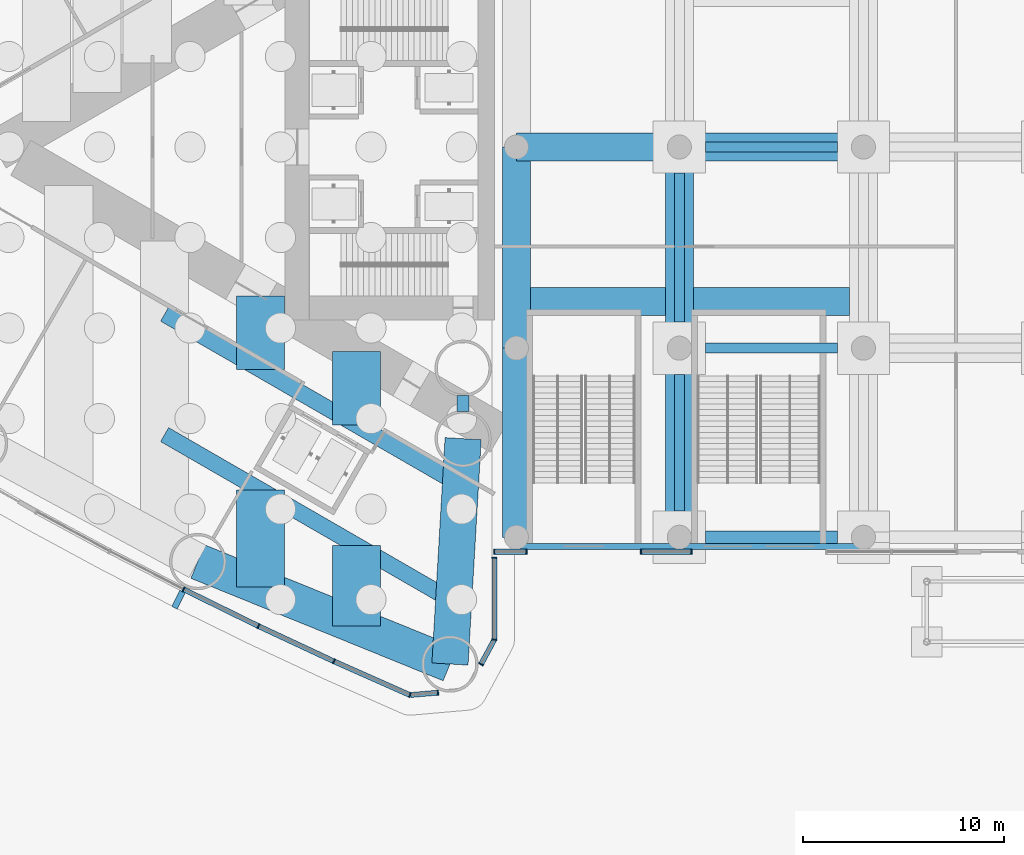
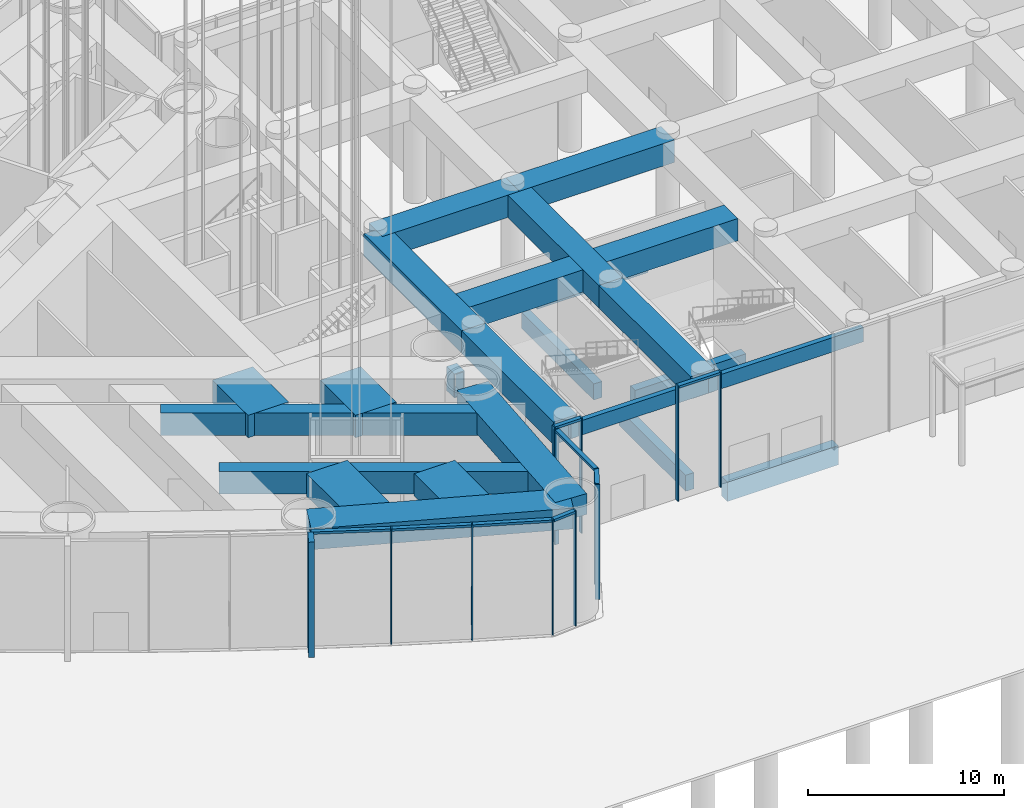
# One storey, part 8 of 43: 24 beams, 21 members, 4 elements without a shape of their own.
"""IFC4 building model written with IfcOpenShell, lengths in metres."""

from ifc_helpers import new_model, si_unit, direction, frame, origin, origin_2d, place, context, subcontext, project, spatial, rectangle, hollow_rectangle, extrude, material, material_profile, profile_set, type_object, element, aggregate, save


model = new_model("IFC4")

# Units and contexts
model_context = context("Model", 3, precision=1e-05, world=origin(), true_north=direction((0.0, 1.0)))
body_context = subcontext(model_context, "Body", "Model", "MODEL_VIEW")
ifc_project = project(units=[si_unit("LENGTHUNIT", "METRE"), si_unit("AREAUNIT", "SQUARE_METRE"), si_unit("VOLUMEUNIT", "CUBIC_METRE"), si_unit("PLANEANGLEUNIT", "RADIAN"), si_unit("MASSUNIT", "GRAM", prefix="KILO")], contexts=[model_context])

# Site, building, storey
site_placement = place(None, origin())
site = spatial("IfcSite", under=ifc_project, at=site_placement, CompositionType="ELEMENT")
building_placement = place(site_placement, origin())
building = spatial("IfcBuilding", under=site, at=building_placement, Name="Lancet Gate Hotel", CompositionType="ELEMENT")
storey_placement = place(building_placement, origin())
storey = spatial("IfcBuildingStorey", under=building, at=storey_placement, Name="L00", CompositionType="ELEMENT", Elevation=0.0)

# Curtain wall, members
ifc_material_1 = material(Name="Aluminium curtain wall", Category="aluminium")
curtain_wall_type = type_object("IfcCurtainWallType", Name="Podium curtain wall", PredefinedType="USERDEFINED", material=ifc_material_1)
curtain_wall_1_placement = place(storey_placement, origin())
curtain_wall_1 = element("IfcCurtainWall", 1, at=curtain_wall_1_placement, inside=storey, type_object=curtain_wall_type, Name="T1 L00 curtain wall 5", ObjectType="UNITISED CURTAIN WALL", PredefinedType="USERDEFINED")
ifc_material_2 = material(Name="Aluminium mullion", Category="aluminium")
ifc_material_profile_1 = material_profile(ifc_material_2, rectangle(XDim=0.06494140625, YDim=0.25, at=origin_2d()), Name="MULLION 65x250")
ifc_profile_set_1 = profile_set([ifc_material_profile_1], Name="Aluminium mullion")
member_type_1 = type_object("IfcMemberType", Name="Aluminium mullion 65x250", PredefinedType="MULLION", material=ifc_profile_set_1)
member_1_placement = place(storey_placement, frame((-42.94189453125, -21.991943359375, 0.0), z_axis=(0.0, 0.0, 1.0), x_axis=(0.893291549794, -0.449477704748, 0.0)))
member_1 = element("IfcMember", 2, at=member_1_placement, type_object=member_type_1, Name="T1 L00 curtain wall 5 mullion 3", PredefinedType="MULLION", context=body_context, shape_type="SweptSolid", body=[
    extrude(rectangle(XDim=0.06494140625, YDim=0.25, at=origin_2d()), origin(), (0.0, 0.0, 1.0), 7.199951171875),
])
member_2_placement = place(storey_placement, frame((-39.225341796875, -23.816650390625, 0.0), z_axis=(0.0, 0.0, 1.0), x_axis=(0.901928838337, -0.431884672772, 0.0)))
member_2 = element("IfcMember", 3, at=member_2_placement, type_object=member_type_1, Name="T1 L00 curtain wall 5 mullion 4", PredefinedType="MULLION", context=body_context, shape_type="SweptSolid", body=[
    extrude(rectangle(XDim=0.06494140625, YDim=0.25, at=origin_2d()), origin(), (0.0, 0.0, 1.0), 7.199951171875),
])
member_3_placement = place(storey_placement, frame((-35.473876953125, -25.568115234375, 0.0), z_axis=(0.0, 0.0, 1.0), x_axis=(0.910219680212, -0.414125746308, 0.0)))
member_3 = element("IfcMember", 4, at=member_3_placement, type_object=member_type_1, Name="T1 L00 curtain wall 5 mullion 5", PredefinedType="MULLION", context=body_context, shape_type="SweptSolid", body=[
    extrude(rectangle(XDim=0.06494140625, YDim=0.25, at=origin_2d()), origin(), (0.0, 0.0, 1.0), 7.199951171875),
])
member_4_placement = place(storey_placement, frame((-31.688720703125, -27.24560546875, 0.0), z_axis=(0.0, 0.0, 1.0), x_axis=(0.957524354695, -0.288352406209, 0.0)))
member_4 = element("IfcMember", 5, at=member_4_placement, type_object=member_type_1, Name="T1 L00 curtain wall 5 mullion 6", PredefinedType="MULLION", context=body_context, shape_type="SweptSolid", body=[
    extrude(rectangle(XDim=0.06494140625, YDim=0.25, at=origin_2d()), origin(), (0.0, 0.0, 1.0), 7.199951171875),
])
member_5_placement = place(storey_placement, frame((-30.3046875, -27.124755859375, 0.0), z_axis=(0.0, 0.0, 1.0), x_axis=(0.99620380374, 0.087051602022, 0.0)))
member_5 = element("IfcMember", 6, at=member_5_placement, type_object=member_type_1, Name="T1 L00 curtain wall 5 mullion 7", PredefinedType="MULLION", context=body_context, shape_type="SweptSolid", body=[
    extrude(rectangle(XDim=0.06494140625, YDim=0.25, at=origin_2d()), origin(), (0.0, 0.0, 1.0), 7.199951171875),
])

curtain_wall_2_placement = place(storey_placement, origin())
curtain_wall_2 = element("IfcCurtainWall", 7, at=curtain_wall_2_placement, inside=storey, type_object=curtain_wall_type, Name="T1 L00 curtain wall 6", ObjectType="UNITISED CURTAIN WALL", PredefinedType="USERDEFINED")
member_6_placement = place(storey_placement, frame((-28.158935546875, -25.712890625, 0.0), z_axis=(0.0, 0.0, 1.0), x_axis=(0.474631040972, 0.880184852714, 0.0)))
member_6 = element("IfcMember", 8, at=member_6_placement, type_object=member_type_1, Name="T1 L00 curtain wall 6 mullion 1", PredefinedType="MULLION", context=body_context, shape_type="SweptSolid", body=[
    extrude(rectangle(XDim=0.06494140625, YDim=0.25, at=origin_2d()), origin(), (0.0, 0.0, 1.0), 7.199951171875),
])
member_7_placement = place(storey_placement, frame((-27.5, -24.4912109375, 0.0), z_axis=(0.0, 0.0, 1.0), x_axis=(0.123482502544, 0.992346749662, 0.0)))
member_7 = element("IfcMember", 9, at=member_7_placement, type_object=member_type_1, Name="T1 L00 curtain wall 6 mullion 2", PredefinedType="MULLION", context=body_context, shape_type="SweptSolid", body=[
    extrude(rectangle(XDim=0.06494140625, YDim=0.25, at=origin_2d()), origin(), (0.0, 0.0, 1.0), 7.199951171875),
])
member_8_placement = place(storey_placement, frame((-27.5, -20.41845703125, 0.0), z_axis=(0.0, 0.0, 1.0), x_axis=(0.0, 1.0, 0.0)))
member_8 = element("IfcMember", 10, at=member_8_placement, type_object=member_type_1, Name="T1 L00 curtain wall 6 mullion 3", PredefinedType="MULLION", context=body_context, shape_type="SweptSolid", body=[
    extrude(rectangle(XDim=0.06494140625, YDim=0.25, at=origin_2d()), origin(), (0.0, 0.0, 1.0), 7.199951171875),
])

curtain_wall_3_placement = place(storey_placement, origin())
curtain_wall_3 = element("IfcCurtainWall", 11, at=curtain_wall_3_placement, inside=storey, type_object=curtain_wall_type, Name="Podium L00 curtain wall S1", ObjectType="UNITISED CURTAIN WALL", PredefinedType="USERDEFINED")
member_9_placement = place(storey_placement, frame((-27.5, -20.1201171875, 0.0), z_axis=(0.0, 0.0, 1.0), x_axis=(1.0, 0.0, 0.0)))
member_9 = element("IfcMember", 12, at=member_9_placement, type_object=member_type_1, Name="Podium L00 curtain wall S1 mullion 1", PredefinedType="MULLION", context=body_context, shape_type="SweptSolid", body=[
    extrude(rectangle(XDim=0.06494140625, YDim=0.25, at=origin_2d()), origin(), (0.0, 0.0, 1.0), 7.199951171875),
])
member_10_placement = place(storey_placement, frame((-25.89990234375, -20.1201171875, 0.0), z_axis=(0.0, 0.0, 1.0), x_axis=(1.0, 0.0, 0.0)))
member_10 = element("IfcMember", 13, at=member_10_placement, type_object=member_type_1, Name="Podium L00 curtain wall S1 mullion 2", PredefinedType="MULLION", context=body_context, shape_type="SweptSolid", body=[
    extrude(rectangle(XDim=0.06494140625, YDim=0.25, at=origin_2d()), origin(), (0.0, 0.0, 1.0), 7.199951171875),
])

curtain_wall_4_placement = place(storey_placement, origin())
curtain_wall_4 = element("IfcCurtainWall", 14, at=curtain_wall_4_placement, inside=storey, type_object=curtain_wall_type, Name="Podium L00 curtain wall S2", ObjectType="UNITISED CURTAIN WALL", PredefinedType="USERDEFINED")
member_11_placement = place(storey_placement, frame((-20.199951171875, -20.1201171875, 0.0), z_axis=(0.0, 0.0, 1.0), x_axis=(1.0, 0.0, 0.0)))
member_11 = element("IfcMember", 15, at=member_11_placement, type_object=member_type_1, Name="Podium L00 curtain wall S2 mullion 1", PredefinedType="MULLION", context=body_context, shape_type="SweptSolid", body=[
    extrude(rectangle(XDim=0.06494140625, YDim=0.25, at=origin_2d()), origin(), (0.0, 0.0, 1.0), 7.199951171875),
])
member_12_placement = place(storey_placement, frame((-17.699951171875, -20.1201171875, 0.0), z_axis=(0.0, 0.0, 1.0), x_axis=(1.0, 0.0, 0.0)))
member_12 = element("IfcMember", 16, at=member_12_placement, type_object=member_type_1, Name="Podium L00 curtain wall S2 mullion 2", PredefinedType="MULLION", context=body_context, shape_type="SweptSolid", body=[
    extrude(rectangle(XDim=0.06494140625, YDim=0.25, at=origin_2d()), origin(), (0.0, 0.0, 1.0), 7.199951171875),
])

# Member
ifc_material_3 = material(Name="Aluminium transom", Category="aluminium")
ifc_material_profile_2 = material_profile(ifc_material_3, rectangle(XDim=0.25, YDim=0.14990234375, at=origin_2d()), Name="TRANSOM 250x150")
ifc_profile_set_2 = profile_set([ifc_material_profile_2], Name="Aluminium transom")
member_type_2 = type_object("IfcMemberType", Name="Aluminium transom 250x150", PredefinedType="USERDEFINED", material=ifc_profile_set_2)
member_13_placement = place(storey_placement, frame((-42.912841796875, -22.00634765625, 7.125), z_axis=(0.897662439958, -0.440683723194, 0.0), x_axis=(0.440683723194, 0.897662439958, 0.0)))
member_13 = element("IfcMember", 17, at=member_13_placement, type_object=member_type_2, Name="T1 L00 curtain wall 5 transom 3", ObjectType="TRANSOM", PredefinedType="USERDEFINED", context=body_context, shape_type="SweptSolid", body=[
    extrude(rectangle(XDim=0.25, YDim=0.14990234375, at=origin_2d()), origin(), (0.0, 0.0, 1.0), 4.0751953125),
])

member_14_placement = place(storey_placement, frame((-39.196044921875, -23.830322265625, 7.125), z_axis=(0.906109667261, -0.423042871228, 0.0), x_axis=(0.423042871228, 0.906109667261, 0.0)))
member_14 = element("IfcMember", 18, at=member_14_placement, type_object=member_type_2, Name="T1 L00 curtain wall 5 transom 4", ObjectType="TRANSOM", PredefinedType="USERDEFINED", context=body_context, shape_type="SweptSolid", body=[
    extrude(rectangle(XDim=0.25, YDim=0.14990234375, at=origin_2d()), origin(), (0.0, 0.0, 1.0), 4.075439453125),
])

member_15_placement = place(storey_placement, frame((-35.444091796875, -25.581298828125, 7.125), z_axis=(0.914248281954, -0.405154389022, 0.0), x_axis=(0.405154389022, 0.914248281954, 0.0)))
member_15 = element("IfcMember", 19, at=member_15_placement, type_object=member_type_2, Name="T1 L00 curtain wall 5 transom 5", ObjectType="TRANSOM", PredefinedType="USERDEFINED", context=body_context, shape_type="SweptSolid", body=[
    extrude(rectangle(XDim=0.25, YDim=0.14990234375, at=origin_2d()), origin(), (0.0, 0.0, 1.0), 4.0751953125),
])

member_16_placement = place(storey_placement, frame((-31.65625, -27.242919921875, 7.125), z_axis=(0.99620591587, 0.087027427779, 0.0), x_axis=(-0.087027427779, 0.99620591587, 0.0)))
member_16 = element("IfcMember", 20, at=member_16_placement, type_object=member_type_2, Name="T1 L00 curtain wall 5 transom 6", ObjectType="TRANSOM", PredefinedType="USERDEFINED", context=body_context, shape_type="SweptSolid", body=[
    extrude(rectangle(XDim=0.25, YDim=0.14990234375, at=origin_2d()), origin(), (0.0, 0.0, 1.0), 1.32421875),
])

member_17_placement = place(storey_placement, frame((-28.143310546875, -25.684326171875, 7.125), z_axis=(0.474605926905, 0.880198394765, 0.0), x_axis=(-0.880198394765, 0.474605926905, 0.0)))
member_17 = element("IfcMember", 21, at=member_17_placement, type_object=member_type_2, Name="T1 L00 curtain wall 6 transom 1", ObjectType="TRANSOM", PredefinedType="USERDEFINED", context=body_context, shape_type="SweptSolid", body=[
    extrude(rectangle(XDim=0.25, YDim=0.14990234375, at=origin_2d()), origin(), (0.0, 0.0, 1.0), 1.322998046875),
])

member_18_placement = place(storey_placement, frame((-27.5, -24.458740234375, 7.125), z_axis=(0.0, 1.0, 0.0), x_axis=(-1.0, 0.0, 0.0)))
member_18 = element("IfcMember", 22, at=member_18_placement, type_object=member_type_2, Name="T1 L00 curtain wall 6 transom 2", ObjectType="TRANSOM", PredefinedType="USERDEFINED", context=body_context, shape_type="SweptSolid", body=[
    extrude(rectangle(XDim=0.25, YDim=0.14990234375, at=origin_2d()), origin(), (0.0, 0.0, 1.0), 4.0078125),
])

aggregate(curtain_wall_2, [member_6, member_7, member_8, member_17, member_18])

member_19_placement = place(storey_placement, frame((-27.467529296875, -20.1201171875, 7.125), z_axis=(1.0, 0.0, 0.0), x_axis=(0.0, 1.0, 0.0)))
member_19 = element("IfcMember", 23, at=member_19_placement, type_object=member_type_2, Name="Podium L00 curtain wall S1 transom 1", ObjectType="TRANSOM", PredefinedType="USERDEFINED", context=body_context, shape_type="SweptSolid", body=[
    extrude(rectangle(XDim=0.25, YDim=0.14990234375, at=origin_2d()), origin(), (0.0, 0.0, 1.0), 1.534912109375),
])

aggregate(curtain_wall_3, [member_9, member_10, member_19])

member_20_placement = place(storey_placement, frame((-20.16748046875, -20.1201171875, 7.125), z_axis=(1.0, 0.0, 0.0), x_axis=(0.0, 1.0, 0.0)))
member_20 = element("IfcMember", 24, at=member_20_placement, type_object=member_type_2, Name="Podium L00 curtain wall S2 transom 1", ObjectType="TRANSOM", PredefinedType="USERDEFINED", context=body_context, shape_type="SweptSolid", body=[
    extrude(rectangle(XDim=0.25, YDim=0.14990234375, at=origin_2d()), origin(), (0.0, 0.0, 1.0), 2.43505859375),
])

aggregate(curtain_wall_4, [member_11, member_12, member_20])

# Beams
ifc_material_4 = material(Name="Concrete C50/60", Category="concrete")
ifc_material_profile_3 = material_profile(ifc_material_4, rectangle(XDim=1.800048828125, YDim=1.300048828125, at=origin_2d()), Name="RC 1800x1300")
ifc_profile_set_3 = profile_set([ifc_material_profile_3], Name="Concrete C50/60")
beam_type_1 = type_object("IfcBeamType", Name="Edge beam RC 1800x1300", PredefinedType="SPANDREL", material=ifc_profile_set_3)
beam_1_placement = place(storey_placement, frame((-42.2451171875, -20.607421875, 6.199951171875), z_axis=(0.926463236197, -0.376385270667, 0.0), x_axis=(0.376385270667, 0.926463236197, 0.0)))
element("IfcBeam", 25, at=beam_1_placement, inside=storey, type_object=beam_type_1, Name="T1 edge beam EB1 L00", PredefinedType="SPANDREL", context=body_context, shape_type="SweptSolid", body=[
    extrude(rectangle(XDim=1.800048828125, YDim=1.300048828125, at=origin_2d()), origin(), (0.0, 0.0, 1.0), 13.537353515625),
])
beam_2_placement = place(storey_placement, frame((-29.050048828125, -14.5, 6.199951171875), z_axis=(-0.058219521912, -0.998303805096, 0.0), x_axis=(0.998303805096, -0.058219521912, 0.0)))
element("IfcBeam", 26, at=beam_2_placement, inside=storey, type_object=beam_type_1, Name="T1 edge beam EB1 L00", PredefinedType="SPANDREL", context=body_context, shape_type="SweptSolid", body=[
    extrude(rectangle(XDim=1.800048828125, YDim=1.300048828125, at=origin_2d()), origin(), (0.0, 0.0, 1.0), 11.2216796875),
])

# Member
ifc_material_5 = material(Name="Precast concrete C50/60", Category="concrete")
ifc_material_profile_4 = material_profile(ifc_material_5, rectangle(XDim=0.300048828125, YDim=0.89990234375, at=origin_2d()), Name="FIN 300x900")
ifc_profile_set_4 = profile_set([ifc_material_profile_4], Name="Precast concrete C50/60")
member_type_3 = type_object("IfcMemberType", Name="Exposed concrete fin 300x900", PredefinedType="USERDEFINED", material=ifc_profile_set_4)
member_21_placement = place(storey_placement, frame((-43.200439453125, -22.505615234375, 0.0), z_axis=(0.0, 0.0, 1.0), x_axis=(0.893291549794, -0.449477704748, 0.0)))
member_21 = element("IfcMember", 27, at=member_21_placement, type_object=member_type_3, Name="T1 L00 curtain wall 5 fin 3", ObjectType="FIN", PredefinedType="USERDEFINED", context=body_context, shape_type="SweptSolid", body=[
    extrude(rectangle(XDim=0.300048828125, YDim=0.89990234375, at=origin_2d()), origin(), (0.0, 0.0, 1.0), 7.199951171875),
])

aggregate(curtain_wall_1, [member_1, member_21, member_2, member_3, member_4, member_5, member_13, member_14, member_15, member_16])

# Beams
ifc_material_6 = material(Name="Concrete C50/60", Category="concrete")
ifc_material_profile_5 = material_profile(ifc_material_6, rectangle(XDim=2.39990234375, YDim=1.39990234375, at=origin_2d()), Name="RC 2400x1400")
ifc_profile_set_5 = profile_set([ifc_material_profile_5], Name="Concrete C50/60")
beam_type_2 = type_object("IfcBeamType", Name="Floor beam RC 2400x1400", PredefinedType="BEAM", material=ifc_profile_set_5)
beam_3_placement = place(storey_placement, frame((-34.353515625, -10.169921875, 6.14990234375), z_axis=(0.0, -1.0, 0.0), x_axis=(1.0, 0.0, 0.0)))
element("IfcBeam", 28, at=beam_3_placement, inside=storey, type_object=beam_type_2, Name="T1 floor beam F03NA L00", PredefinedType="BEAM", context=body_context, shape_type="SweptSolid", body=[
    extrude(rectangle(XDim=2.39990234375, YDim=1.39990234375, at=origin_2d()), origin(), (0.0, 0.0, 1.0), 3.645751953125),
])
beam_4_placement = place(storey_placement, frame((-34.353515625, -19.802978515625, 6.14990234375), z_axis=(0.0, -1.0, 0.0), x_axis=(1.0, 0.0, 0.0)))
element("IfcBeam", 29, at=beam_4_placement, inside=storey, type_object=beam_type_2, Name="T1 floor beam F03NB L00", PredefinedType="BEAM", context=body_context, shape_type="SweptSolid", body=[
    extrude(rectangle(XDim=2.39990234375, YDim=1.39990234375, at=origin_2d()), origin(), (0.0, 0.0, 1.0), 4.010498046875),
])
beam_5_placement = place(storey_placement, frame((-39.122314453125, -7.41650390625, 6.14990234375), z_axis=(0.0, -1.0, 0.0), x_axis=(1.0, 0.0, 0.0)))
element("IfcBeam", 30, at=beam_5_placement, inside=storey, type_object=beam_type_2, Name="T1 floor beam F06NA L00", PredefinedType="BEAM", context=body_context, shape_type="SweptSolid", body=[
    extrude(rectangle(XDim=2.39990234375, YDim=1.39990234375, at=origin_2d()), origin(), (0.0, 0.0, 1.0), 3.64599609375),
])
beam_6_placement = place(storey_placement, frame((-39.122314453125, -17.0498046875, 6.14990234375), z_axis=(0.0, -1.0, 0.0), x_axis=(1.0, 0.0, 0.0)))
element("IfcBeam", 31, at=beam_6_placement, inside=storey, type_object=beam_type_2, Name="T1 floor beam F06NB L00", PredefinedType="BEAM", context=body_context, shape_type="SweptSolid", body=[
    extrude(rectangle(XDim=2.39990234375, YDim=1.39990234375, at=origin_2d()), origin(), (0.0, 0.0, 1.0), 4.826416015625),
])
ifc_material_7 = material(Name="Concrete C40/50", Category="concrete")
ifc_material_profile_6 = material_profile(ifc_material_7, rectangle(XDim=0.5, YDim=1.0, at=origin_2d()), Name="RC 500x1000")
ifc_profile_set_6 = profile_set([ifc_material_profile_6], Name="Concrete C40/50")
beam_type_3 = type_object("IfcBeamType", Name="Ground beam RC 500x1000", PredefinedType="BEAM", material=ifc_profile_set_6)
beam_7_placement = place(storey_placement, frame((-18.300048828125, -18.10009765625, -0.75), z_axis=(0.0, 1.0, 0.0), x_axis=(-1.0, 0.0, 0.0)))
element("IfcBeam", 32, at=beam_7_placement, inside=storey, type_object=beam_type_3, Name="Ground beam 2A-2B", PredefinedType="BEAM", context=body_context, shape_type="SweptSolid", body=[
    extrude(rectangle(XDim=0.5, YDim=1.0, at=origin_2d()), origin(), (0.0, 0.0, 1.0), 6.800048828125),
])
beam_8_placement = place(storey_placement, frame((-17.0, -10.0, -0.75), z_axis=(1.0, 0.0, 0.0), x_axis=(0.0, 1.0, 0.0)))
element("IfcBeam", 33, at=beam_8_placement, inside=storey, type_object=beam_type_3, Name="Ground beam 2B-3B", PredefinedType="BEAM", context=body_context, shape_type="SweptSolid", body=[
    extrude(rectangle(XDim=0.5, YDim=1.0, at=origin_2d()), origin(), (0.0, 0.0, 1.0), 6.550048828125),
])
beam_9_placement = place(storey_placement, frame((-18.300048828125, -8.699951171875, -0.75), z_axis=(0.0, 1.0, 0.0), x_axis=(-1.0, 0.0, 0.0)))
element("IfcBeam", 34, at=beam_9_placement, inside=storey, type_object=beam_type_3, Name="Ground beam 2B-2C", PredefinedType="BEAM", context=body_context, shape_type="SweptSolid", body=[
    extrude(rectangle(XDim=0.5, YDim=1.0, at=origin_2d()), origin(), (0.0, 0.0, 1.0), 7.39990234375),
])
beam_10_placement = place(storey_placement, frame((-17.0, 0.0, -0.75), z_axis=(1.0, 0.0, 0.0), x_axis=(0.0, 1.0, 0.0)))
element("IfcBeam", 35, at=beam_10_placement, inside=storey, type_object=beam_type_3, Name="Ground beam 2C-3C", PredefinedType="BEAM", context=body_context, shape_type="SweptSolid", body=[
    extrude(rectangle(XDim=0.5, YDim=1.0, at=origin_2d()), origin(), (0.0, 0.0, 1.0), 6.550048828125),
])
ifc_material_8 = material(Name="Concrete C40/50", Category="concrete")
ifc_material_profile_7 = material_profile(ifc_material_8, rectangle(XDim=0.60009765625, YDim=1.199951171875, at=origin_2d()), Name="RC 600x1200")
ifc_profile_set_7 = profile_set([ifc_material_profile_7], Name="Concrete C40/50")
beam_type_4 = type_object("IfcBeamType", Name="Ground beam RC 600x1200", PredefinedType="BEAM", material=ifc_profile_set_7)
beam_11_placement = place(storey_placement, frame((-17.0, -19.39990234375, -0.85009765625), z_axis=(1.0, 0.0, 0.0), x_axis=(0.0, 1.0, 0.0)))
element("IfcBeam", 36, at=beam_11_placement, inside=storey, type_object=beam_type_4, Name="Ground beam 2A-3A", PredefinedType="BEAM", context=body_context, shape_type="SweptSolid", body=[
    extrude(rectangle(XDim=0.60009765625, YDim=1.199951171875, at=origin_2d()), origin(), (0.0, 0.0, 1.0), 6.550048828125),
])
ifc_material_9 = material(Name="Steel S460QL", Category="steel")
ifc_material_profile_8 = material_profile(ifc_material_9, hollow_rectangle(XDim=0.60009765625, YDim=1.5, WallThickness=0.050048828125, at=origin_2d()), Name="BOX 1500x600x50")
ifc_profile_set_8 = profile_set([ifc_material_profile_8], Name="Steel S460QL")
beam_type_5 = type_object("IfcBeamType", Name="Inner-face link beam BOX 1500x600x50", PredefinedType="BEAM", material=ifc_profile_set_8)
beam_12_placement = place(storey_placement, frame((-29.050048828125, -12.35009765625, 6.10009765625), z_axis=(0.0, -1.0, 0.0), x_axis=(1.0, 0.0, 0.0)))
element("IfcBeam", 37, at=beam_12_placement, inside=storey, type_object=beam_type_5, Name="T1 inner-face link beam LK1 L00", PredefinedType="BEAM", context=body_context, shape_type="SweptSolid", body=[
    extrude(hollow_rectangle(XDim=0.60009765625, YDim=1.5, WallThickness=0.050048828125, at=origin_2d()), origin(), (0.0, 0.0, 1.0), 0.7998046875),
])
ifc_material_10 = material(Name="Concrete C50/60", Category="concrete")
ifc_material_profile_9 = material_profile(ifc_material_10, rectangle(XDim=1.39990234375, YDim=1.39990234375, at=origin_2d()), Name="RC 1400x1400")
ifc_profile_set_9 = profile_set([ifc_material_profile_9], Name="Concrete C50/60")
beam_type_6 = type_object("IfcBeamType", Name="Podium beam RC 1400x1400", PredefinedType="BEAM", material=ifc_profile_set_9)
beam_13_placement = place(storey_placement, frame((-26.39990234375, 0.0, 6.14990234375), z_axis=(1.0, 0.0, 0.0), x_axis=(0.0, 1.0, 0.0)))
element("IfcBeam", 38, at=beam_13_placement, inside=storey, type_object=beam_type_6, Name="Podium beam C/1-2 L00", PredefinedType="BEAM", context=body_context, shape_type="SweptSolid", body=[
    extrude(rectangle(XDim=1.39990234375, YDim=1.39990234375, at=origin_2d()), origin(), (0.0, 0.0, 1.0), 8.099853515625),
])
beam_14_placement = place(storey_placement, frame((-18.300048828125, 0.0, 6.14990234375), z_axis=(1.0, 0.0, 0.0), x_axis=(0.0, 1.0, 0.0)))
element("IfcBeam", 39, at=beam_14_placement, inside=storey, type_object=beam_type_6, Name="Podium beam C/2-3 L00", PredefinedType="BEAM", context=body_context, shape_type="SweptSolid", body=[
    extrude(rectangle(XDim=1.39990234375, YDim=1.39990234375, at=origin_2d()), origin(), (0.0, 0.0, 1.0), 9.150146484375),
])
beam_15_placement = place(storey_placement, frame((-17.60009765625, -7.679931640625, 6.14990234375), z_axis=(1.0, 0.0, 0.0), x_axis=(0.0, 1.0, 0.0)))
element("IfcBeam", 40, at=beam_15_placement, inside=storey, type_object=beam_type_6, Name="Podium trimmer beam PS3 L00", PredefinedType="BEAM", context=body_context, shape_type="SweptSolid", body=[
    extrude(rectangle(XDim=1.39990234375, YDim=1.39990234375, at=origin_2d()), origin(), (0.0, 0.0, 1.0), 7.75),
])
beam_16_placement = place(storey_placement, frame((-25.699951171875, -7.679931640625, 6.14990234375), z_axis=(1.0, 0.0, 0.0), x_axis=(0.0, 1.0, 0.0)))
element("IfcBeam", 41, at=beam_16_placement, inside=storey, type_object=beam_type_6, Name="Podium trimmer beam PS6 L00", PredefinedType="BEAM", context=body_context, shape_type="SweptSolid", body=[
    extrude(rectangle(XDim=1.39990234375, YDim=1.39990234375, at=origin_2d()), origin(), (0.0, 0.0, 1.0), 6.699951171875),
])
beam_17_placement = place(storey_placement, frame((-26.39990234375, -19.39990234375, 6.14990234375), z_axis=(0.0, 1.0, 0.0), x_axis=(-1.0, 0.0, 0.0)))
element("IfcBeam", 42, at=beam_17_placement, inside=storey, type_object=beam_type_6, Name="Podium beam 1/A-B L00", PredefinedType="BEAM", context=body_context, shape_type="SweptSolid", body=[
    extrude(rectangle(XDim=1.39990234375, YDim=1.39990234375, at=origin_2d()), origin(), (0.0, 0.0, 1.0), 9.39990234375),
])
beam_18_placement = place(storey_placement, frame((-26.39990234375, -10.0, 6.14990234375), z_axis=(0.0, 1.0, 0.0), x_axis=(-1.0, 0.0, 0.0)))
element("IfcBeam", 43, at=beam_18_placement, inside=storey, type_object=beam_type_6, Name="Podium beam 1/B-C L00", PredefinedType="BEAM", context=body_context, shape_type="SweptSolid", body=[
    extrude(rectangle(XDim=1.39990234375, YDim=1.39990234375, at=origin_2d()), origin(), (0.0, 0.0, 1.0), 10.0),
])
beam_19_placement = place(storey_placement, frame((-18.300048828125, -19.39990234375, 6.14990234375), z_axis=(0.0, 1.0, 0.0), x_axis=(-1.0, 0.0, 0.0)))
element("IfcBeam", 44, at=beam_19_placement, inside=storey, type_object=beam_type_6, Name="Podium beam 2/A-B L00", PredefinedType="BEAM", context=body_context, shape_type="SweptSolid", body=[
    extrude(rectangle(XDim=1.39990234375, YDim=1.39990234375, at=origin_2d()), origin(), (0.0, 0.0, 1.0), 9.39990234375),
])
beam_20_placement = place(storey_placement, frame((-18.300048828125, -10.0, 6.14990234375), z_axis=(0.0, 1.0, 0.0), x_axis=(-1.0, 0.0, 0.0)))
element("IfcBeam", 45, at=beam_20_placement, inside=storey, type_object=beam_type_6, Name="Podium beam 2/B-C L00", PredefinedType="BEAM", context=body_context, shape_type="SweptSolid", body=[
    extrude(rectangle(XDim=1.39990234375, YDim=1.39990234375, at=origin_2d()), origin(), (0.0, 0.0, 1.0), 10.0),
])
ifc_material_11 = material(Name="Concrete C50/60", Category="concrete")
ifc_material_profile_10 = material_profile(ifc_material_11, rectangle(XDim=0.300048828125, YDim=0.89990234375, at=origin_2d()), Name="RC 300x900")
ifc_profile_set_10 = profile_set([ifc_material_profile_10], Name="Concrete C50/60")
beam_type_7 = type_object("IfcBeamType", Name="Podium stair edge beam RC 300x900", PredefinedType="BEAM", material=ifc_profile_set_10)
beam_21_placement = place(storey_placement, frame((-26.39990234375, -19.85009765625, 6.39990234375), z_axis=(1.0, 0.0, 0.0), x_axis=(0.0, 1.0, 0.0)))
element("IfcBeam", 46, at=beam_21_placement, inside=storey, type_object=beam_type_7, Name="Podium beam A/1-2 L00", PredefinedType="BEAM", context=body_context, shape_type="SweptSolid", body=[
    extrude(rectangle(XDim=0.300048828125, YDim=0.89990234375, at=origin_2d()), origin(), (0.0, 0.0, 1.0), 8.099853515625),
])
beam_22_placement = place(storey_placement, frame((-18.300048828125, -19.85009765625, 6.39990234375), z_axis=(1.0, 0.0, 0.0), x_axis=(0.0, 1.0, 0.0)))
element("IfcBeam", 47, at=beam_22_placement, inside=storey, type_object=beam_type_7, Name="Podium beam A/2-3 L00", PredefinedType="BEAM", context=body_context, shape_type="SweptSolid", body=[
    extrude(rectangle(XDim=0.300048828125, YDim=0.89990234375, at=origin_2d()), origin(), (0.0, 0.0, 1.0), 9.150146484375),
])
ifc_material_12 = material(Name="Steel S460QL", Category="steel")
ifc_material_profile_11 = material_profile(ifc_material_12, hollow_rectangle(XDim=0.800048828125, YDim=1.39990234375, WallThickness=0.080078125, at=origin_2d()), Name="BOX 1400x800x80")
ifc_profile_set_11 = profile_set([ifc_material_profile_11], Name="Steel S460QL")
beam_type_8 = type_object("IfcBeamType", Name="Trimmer beam BOX 1400x800x80", PredefinedType="BEAM", material=ifc_profile_set_11)
for number, where, z_axis, x_axis, name in (
    (48, (-29.58447265625, -22.55615234375, 6.14990234375), (-0.866040141834, 0.49997447208, 0.0), (-0.49997447208, -0.866040141834, 0.0), "T1 trimmer beam TR03N L00"),
    (49, (-29.58447265625, -16.56884765625, 6.14990234375), (-0.866040141834, 0.49997447208, 0.0), (-0.49997447208, -0.866040141834, 0.0), "T1 trimmer beam TR04N L00"),
):
    element("IfcBeam", number, at=place(storey_placement, frame(where, z_axis=z_axis, x_axis=x_axis)), inside=storey, type_object=beam_type_8, Name=name, PredefinedType="BEAM", context=body_context, shape_type="SweptSolid", body=[
        extrude(hollow_rectangle(XDim=0.800048828125, YDim=1.39990234375, WallThickness=0.080078125, at=origin_2d()), origin(), (0.0, 0.0, 1.0), 16.519775390625),
    ])

save(model, "model.ifc")
